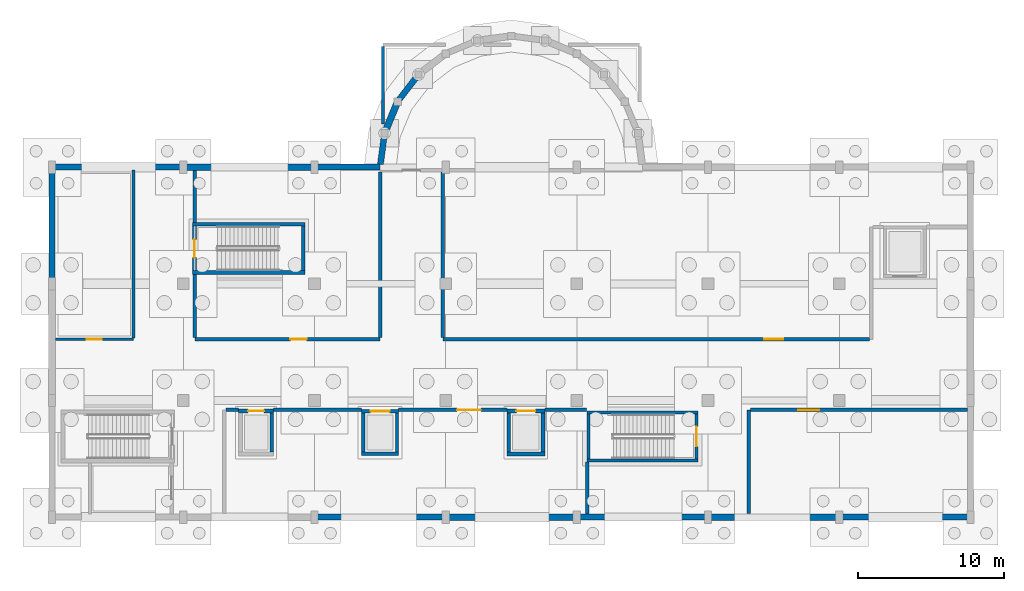
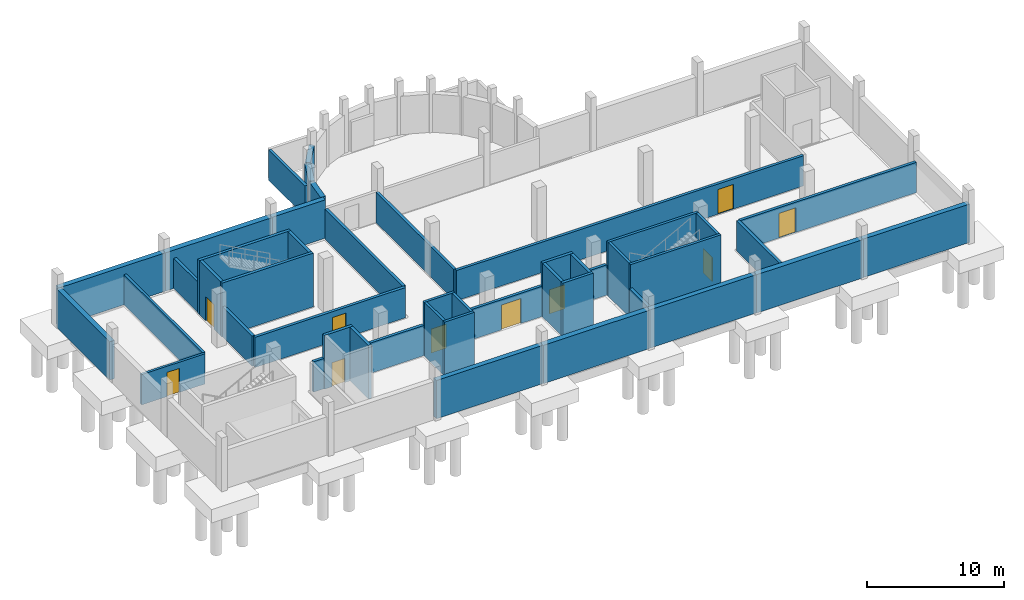
# One storey, part 4 of 10: 46 walls, 10 doors, 10 openings.
"""IFC4 building model written with IfcOpenShell, lengths in metres."""

from ifc_helpers import new_model, si_unit, direction, frame, frame_2d, origin, place, context, subcontext, project, spatial, rectangle, extrude, material, layer, layer_set, type_object, element, fill, save


model = new_model("IFC4")

# Units and contexts
model_context = context("Model", 3, precision=1e-05, world=origin(), true_north=direction((0.0, 1.0)))
body_context = subcontext(model_context, "Body", "Model", "MODEL_VIEW")
ifc_project = project(units=[si_unit("LENGTHUNIT", "METRE"), si_unit("AREAUNIT", "SQUARE_METRE"), si_unit("VOLUMEUNIT", "CUBIC_METRE"), si_unit("PLANEANGLEUNIT", "RADIAN"), si_unit("MASSUNIT", "GRAM", prefix="KILO")], contexts=[model_context])

# Site, building, storey
site_placement = place(None, origin())
site = spatial("IfcSite", under=ifc_project, at=site_placement, CompositionType="ELEMENT")
building_placement = place(site_placement, origin())
building = spatial("IfcBuilding", under=site, at=building_placement, Name="Serraforn Aerial Cableway Station", CompositionType="ELEMENT")
storey_placement = place(building_placement, frame((0.0, 0.0, -4.800048828125)))
storey = spatial("IfcBuildingStorey", under=building, at=storey_placement, Name="B1", CompositionType="ELEMENT", Elevation=-4.800048828125)

# Wall, opening, door
ifc_material_1 = material(Name="Concrete C35/45", Category="concrete")
ifc_layer_1 = layer(ifc_material_1, 0.219970703125)
ifc_layer_set_1 = layer_set([ifc_layer_1], Name="Concrete C35/45")
wall_type_1 = type_object("IfcWallType", Name="WL-COR-220", PredefinedType="SHEAR", material=ifc_layer_set_1)
wall_1_placement = place(storey_placement, frame((71.81005859375, 25.06005859375, 0.0), z_axis=(0.0, 0.0, 1.0), x_axis=(0.0, -1.0, 0.0)))
wall_1 = element("IfcWall", 1, at=wall_1_placement, inside=storey, type_object=wall_type_1, Name="Stair Core Shear Wall WCOR-ST-05-B1-NEAR", PredefinedType="SHEAR", context=body_context, shape_type="SweptSolid", body=[
    extrude(rectangle(XDim=3.06005859375, YDim=0.219970703125, at=frame_2d((1.530029296875, 0.0))), origin(), (0.0, 0.0, 1.0), 4.800048828125),
])
opening_1_placement = place(wall_1_placement, frame((0.85498046875, 0.0, 0.0)))
opening_1 = element("IfcOpeningElement", 2, at=opening_1_placement, cuts=wall_1, Name="Opening D-S22", PredefinedType="OPENING", context=body_context, shape_type="SweptSolid", body=[
    extrude(rectangle(XDim=1.35009765625, YDim=2.14990234375, at=frame_2d((0.675048828125, 1.074951171875))), frame((0.0, 0.119873046875, 0.0), z_axis=(0.0, -1.0, 0.0), x_axis=(1.0, 0.0, 0.0)), (0.0, 0.0, 1.0), 0.239990234375),
])
ifc_material_2 = material(Name="Self-closing steel stair fire door", Category="steel")
door_type_1 = type_object("IfcDoorType", Name="DR-STAIR-135", OperationType="NOTDEFINED", PredefinedType="DOOR", material=ifc_material_2)
door_1_placement = place(opening_1_placement, origin())
door_1 = element("IfcDoor", 3, at=door_1_placement, inside=storey, type_object=door_type_1, Name="Protected Stair Door D-S22", OperationType="SINGLE_SWING_RIGHT", OverallHeight=2.14990234375, OverallWidth=1.35009765625, PredefinedType="DOOR", context=body_context, shape_type="SweptSolid", body=[
    extrude(rectangle(XDim=1.35009765625, YDim=2.14990234375, at=frame_2d((0.675048828125, 1.074951171875))), frame((0.0, 0.02490234375, 0.0), z_axis=(0.0, -1.0, 0.0), x_axis=(1.0, 0.0, 0.0)), (0.0, 0.0, 1.0), 0.050048828125),
])
fill(opening_1, door_1)

# Walls
wall_2_placement = place(storey_placement, frame((64.389892578125, 25.06005859375, 0.0), z_axis=(0.0, 0.0, 1.0), x_axis=(0.0, -1.0, 0.0)))
element("IfcWall", 4, at=wall_2_placement, inside=storey, type_object=wall_type_1, Name="Stair Core Shear Wall WCOR-ST-05-B1-FAR", PredefinedType="SHEAR", context=body_context, shape_type="SweptSolid", body=[
    extrude(rectangle(XDim=3.06005859375, YDim=0.219970703125, at=frame_2d((1.530029296875, 0.0))), origin(), (0.0, 0.0, 1.0), 4.800048828125),
])
for number, where, z_axis, x_axis, name in (
    (5, (71.919921875, 25.169921875, 0.0), (0.0, 0.0, 1.0), (-1.0, 0.0, 0.0), "Stair Core Shear Wall WCOR-ST-05-B1-L"),
    (6, (71.919921875, 21.889892578125, 0.0), (0.0, 0.0, 1.0), (-1.0, 0.0, 0.0), "Stair Core Shear Wall WCOR-ST-05-B1-R"),
):
    element("IfcWall", number, at=place(storey_placement, frame(where, z_axis=z_axis, x_axis=x_axis)), inside=storey, type_object=wall_type_1, Name=name, PredefinedType="SHEAR", context=body_context, shape_type="SweptSolid", body=[
        extrude(rectangle(XDim=7.639892578125, YDim=0.219970703125, at=frame_2d((3.81982421875, 0.0))), origin(), (0.0, 0.0, 1.0), 4.800048828125),
    ])
wall_3_placement = place(storey_placement, frame((48.830078125, 22.340087890625, 0.0), z_axis=(0.0, 0.0, 1.0), x_axis=(1.0, 0.0, 0.0)))
element("IfcWall", 7, at=wall_3_placement, inside=storey, type_object=wall_type_1, Name="Lift Shaft Shear Wall WLFT-LF-03-B1-S", PredefinedType="SHEAR", context=body_context, shape_type="SweptSolid", body=[
    extrude(rectangle(XDim=2.5400390625, YDim=0.219970703125, at=frame_2d((1.27001953125, 0.0))), origin(), (0.0, 0.0, 1.0), 4.800048828125),
])

# Wall, opening, door
wall_4_placement = place(storey_placement, frame((48.830078125, 25.260009765625, 0.0), z_axis=(0.0, 0.0, 1.0), x_axis=(1.0, 0.0, 0.0)))
wall_4 = element("IfcWall", 8, at=wall_4_placement, inside=storey, type_object=wall_type_1, Name="Lift Shaft Shear Wall WLFT-LF-03-B1-N", PredefinedType="SHEAR", context=body_context, shape_type="SweptSolid", body=[
    extrude(rectangle(XDim=2.5400390625, YDim=0.219970703125, at=frame_2d((1.27001953125, 0.0))), origin(), (0.0, 0.0, 1.0), 4.800048828125),
])
opening_2_placement = place(wall_4_placement, frame((0.6201171875, 0.0, 0.0)))
opening_2 = element("IfcOpeningElement", 9, at=opening_2_placement, cuts=wall_4, Name="Opening LD-10", PredefinedType="OPENING", context=body_context, shape_type="SweptSolid", body=[
    extrude(rectangle(XDim=1.300048828125, YDim=2.14990234375, at=frame_2d((0.64990234375, 1.074951171875))), frame((0.0, 0.119873046875, 0.0), z_axis=(0.0, -1.0, 0.0), x_axis=(1.0, 0.0, 0.0)), (0.0, 0.0, 1.0), 0.239990234375),
])
ifc_material_3 = material(Name="Brushed stainless-steel sliding lift landing door", Category="steel")
door_type_2 = type_object("IfcDoorType", Name="DR-LIFT-130", OperationType="SLIDING_TO_RIGHT", PredefinedType="DOOR", material=ifc_material_3)
door_2_placement = place(opening_2_placement, origin())
door_2 = element("IfcDoor", 10, at=door_2_placement, inside=storey, type_object=door_type_2, Name="Sliding Lift Landing Door LD-10 (LF-03 B1)", OperationType="SLIDING_TO_RIGHT", OverallHeight=2.14990234375, OverallWidth=1.300048828125, PredefinedType="DOOR", context=body_context, shape_type="SweptSolid", body=[
    extrude(rectangle(XDim=1.300048828125, YDim=2.14990234375, at=frame_2d((0.64990234375, 1.074951171875))), frame((0.0, 0.02490234375, 0.0), z_axis=(0.0, -1.0, 0.0), x_axis=(1.0, 0.0, 0.0)), (0.0, 0.0, 1.0), 0.050048828125),
])
fill(opening_2, door_2)

# Walls
for number, where, z_axis, x_axis, name in (
    (11, (48.93994140625, 22.449951171875, 0.0), (0.0, 0.0, 1.0), (0.0, 1.0, 0.0), "Lift Shaft Shear Wall WLFT-LF-03-B1-W"),
    (12, (51.260009765625, 22.449951171875, 0.0), (0.0, 0.0, 1.0), (0.0, 1.0, 0.0), "Lift Shaft Shear Wall WLFT-LF-03-B1-E"),
):
    element("IfcWall", number, at=place(storey_placement, frame(where, z_axis=z_axis, x_axis=x_axis)), inside=storey, type_object=wall_type_1, Name=name, PredefinedType="SHEAR", context=body_context, shape_type="SweptSolid", body=[
        extrude(rectangle(XDim=2.699951171875, YDim=0.219970703125, at=frame_2d((1.35009765625, 0.0))), origin(), (0.0, 0.0, 1.0), 4.800048828125),
    ])

# Wall, opening, door
ifc_layer_2 = layer(ifc_material_1, 0.25)
ifc_layer_set_2 = layer_set([ifc_layer_2], Name="Concrete C35/45")
wall_type_2 = type_object("IfcWallType", Name="WL-COR-250", PredefinedType="SHEAR", material=ifc_layer_set_2)
wall_5_placement = place(storey_placement, frame((37.375, 34.89990234375, 0.0), z_axis=(0.0, 0.0, 1.0), x_axis=(0.0, 1.0, 0.0)))
wall_5 = element("IfcWall", 13, at=wall_5_placement, inside=storey, type_object=wall_type_2, Name="Stair Core Shear Wall WCOR-ST-04-B1-NEAR", PredefinedType="SHEAR", context=body_context, shape_type="SweptSolid", body=[
    extrude(rectangle(XDim=3.06005859375, YDim=0.25, at=frame_2d((1.530029296875, 0.0))), origin(), (0.0, 0.0, 1.0), 4.800048828125),
])
opening_3_placement = place(wall_5_placement, frame((0.905029296875, 0.0, 0.0)))
opening_3 = element("IfcOpeningElement", 14, at=opening_3_placement, cuts=wall_5, Name="Opening D-S17", PredefinedType="OPENING", context=body_context, shape_type="SweptSolid", body=[
    extrude(rectangle(XDim=1.25, YDim=2.14990234375, at=frame_2d((0.625, 1.074951171875))), frame((0.0, 0.135009765625, 0.0), z_axis=(0.0, -1.0, 0.0), x_axis=(1.0, 0.0, 0.0)), (0.0, 0.0, 1.0), 0.27001953125),
])
door_type_3 = type_object("IfcDoorType", Name="DR-STAIR-125", OperationType="NOTDEFINED", PredefinedType="DOOR", material=ifc_material_2)
door_3_placement = place(opening_3_placement, origin())
door_3 = element("IfcDoor", 15, at=door_3_placement, inside=storey, type_object=door_type_3, Name="Protected Stair Door D-S17", OperationType="SINGLE_SWING_LEFT", OverallHeight=2.14990234375, OverallWidth=1.25, PredefinedType="DOOR", context=body_context, shape_type="SweptSolid", body=[
    extrude(rectangle(XDim=1.25, YDim=2.14990234375, at=frame_2d((0.625, 1.074951171875))), frame((0.0, 0.02490234375, 0.0), z_axis=(0.0, -1.0, 0.0), x_axis=(1.0, 0.0, 0.0)), (0.0, 0.0, 1.0), 0.050048828125),
])
fill(opening_3, door_3)

# Walls
wall_6_placement = place(storey_placement, frame((44.824951171875, 34.89990234375, 0.0), z_axis=(0.0, 0.0, 1.0), x_axis=(0.0, 1.0, 0.0)))
element("IfcWall", 16, at=wall_6_placement, inside=storey, type_object=wall_type_2, Name="Stair Core Shear Wall WCOR-ST-04-B1-FAR", PredefinedType="SHEAR", context=body_context, shape_type="SweptSolid", body=[
    extrude(rectangle(XDim=3.06005859375, YDim=0.25, at=frame_2d((1.530029296875, 0.0))), origin(), (0.0, 0.0, 1.0), 4.800048828125),
])
for number, where, z_axis, x_axis, name in (
    (17, (37.25, 34.77490234375, 0.0), (0.0, 0.0, 1.0), (1.0, 0.0, 0.0), "Stair Core Shear Wall WCOR-ST-04-B1-L"),
    (18, (37.25, 38.0849609375, 0.0), (0.0, 0.0, 1.0), (1.0, 0.0, 0.0), "Stair Core Shear Wall WCOR-ST-04-B1-R"),
):
    element("IfcWall", number, at=place(storey_placement, frame(where, z_axis=z_axis, x_axis=x_axis)), inside=storey, type_object=wall_type_2, Name=name, PredefinedType="SHEAR", context=body_context, shape_type="SweptSolid", body=[
        extrude(rectangle(XDim=7.699951171875, YDim=0.25, at=frame_2d((3.85009765625, 0.0))), origin(), (0.0, 0.0, 1.0), 4.800048828125),
    ])

# Wall, opening, door
wall_7_placement = place(storey_placement, frame((40.39990234375, 25.27490234375, 0.0), z_axis=(0.0, 0.0, 1.0), x_axis=(1.0, 0.0, 0.0)))
wall_7 = element("IfcWall", 19, at=wall_7_placement, inside=storey, type_object=wall_type_2, Name="Lift Shaft Shear Wall WLFT-LF-02-B1-N", PredefinedType="SHEAR", context=body_context, shape_type="SweptSolid", body=[
    extrude(rectangle(XDim=2.400146484375, YDim=0.25, at=frame_2d((1.2001953125, 0.0))), origin(), (0.0, 0.0, 1.0), 4.800048828125),
])
opening_4_placement = place(wall_7_placement, frame((0.64990234375, 0.0, 0.0)))
opening_4 = element("IfcOpeningElement", 20, at=opening_4_placement, cuts=wall_7, Name="Opening LD-05", PredefinedType="OPENING", context=body_context, shape_type="SweptSolid", body=[
    extrude(rectangle(XDim=1.10009765625, YDim=2.14990234375, at=frame_2d((0.550048828125, 1.074951171875))), frame((0.0, 0.135009765625, 0.0), z_axis=(0.0, -1.0, 0.0), x_axis=(1.0, 0.0, 0.0)), (0.0, 0.0, 1.0), 0.27001953125),
])
door_type_4 = type_object("IfcDoorType", Name="DR-LIFT-110", OperationType="SLIDING_TO_LEFT", PredefinedType="DOOR", material=ifc_material_3)
door_4_placement = place(opening_4_placement, origin())
door_4 = element("IfcDoor", 21, at=door_4_placement, inside=storey, type_object=door_type_4, Name="Sliding Lift Landing Door LD-05 (LF-02 B1)", OperationType="SLIDING_TO_LEFT", OverallHeight=2.14990234375, OverallWidth=1.10009765625, PredefinedType="DOOR", context=body_context, shape_type="SweptSolid", body=[
    extrude(rectangle(XDim=1.10009765625, YDim=2.14990234375, at=frame_2d((0.550048828125, 1.074951171875))), frame((0.0, 0.02490234375, 0.0), z_axis=(0.0, -1.0, 0.0), x_axis=(1.0, 0.0, 0.0)), (0.0, 0.0, 1.0), 0.050048828125),
])
fill(opening_4, door_4)

# Walls
wall_8_placement = place(storey_placement, frame((42.675048828125, 22.449951171875, 0.0), z_axis=(0.0, 0.0, 1.0), x_axis=(0.0, 1.0, 0.0)))
element("IfcWall", 22, at=wall_8_placement, inside=storey, type_object=wall_type_2, Name="Lift Shaft Shear Wall WLFT-LF-02-B1-E", PredefinedType="SHEAR", context=body_context, shape_type="SweptSolid", body=[
    extrude(rectangle(XDim=2.699951171875, YDim=0.25, at=frame_2d((1.35009765625, 0.0))), origin(), (0.0, 0.0, 1.0), 4.800048828125),
])
wall_9_placement = place(storey_placement, frame((58.800048828125, 22.324951171875, 0.0), z_axis=(0.0, 0.0, 1.0), x_axis=(1.0, 0.0, 0.0)))
element("IfcWall", 23, at=wall_9_placement, inside=storey, type_object=wall_type_2, Name="Lift Shaft Shear Wall WLFT-LF-04-B1-S", PredefinedType="SHEAR", context=body_context, shape_type="SweptSolid", body=[
    extrude(rectangle(XDim=2.599853515625, YDim=0.25, at=frame_2d((1.2998046875, 0.0))), origin(), (0.0, 0.0, 1.0), 4.800048828125),
])

# Wall, opening, door
wall_10_placement = place(storey_placement, frame((58.800048828125, 25.27490234375, 0.0), z_axis=(0.0, 0.0, 1.0), x_axis=(1.0, 0.0, 0.0)))
wall_10 = element("IfcWall", 24, at=wall_10_placement, inside=storey, type_object=wall_type_2, Name="Lift Shaft Shear Wall WLFT-LF-04-B1-N", PredefinedType="SHEAR", context=body_context, shape_type="SweptSolid", body=[
    extrude(rectangle(XDim=2.599853515625, YDim=0.25, at=frame_2d((1.2998046875, 0.0))), origin(), (0.0, 0.0, 1.0), 4.800048828125),
])
opening_5_placement = place(wall_10_placement, frame((0.64990234375, 0.0, 0.0)))
opening_5 = element("IfcOpeningElement", 25, at=opening_5_placement, cuts=wall_10, Name="Opening LD-14", PredefinedType="OPENING", context=body_context, shape_type="SweptSolid", body=[
    extrude(rectangle(XDim=1.300048828125, YDim=2.14990234375, at=frame_2d((0.64990234375, 1.074951171875))), frame((0.0, 0.135009765625, 0.0), z_axis=(0.0, -1.0, 0.0), x_axis=(1.0, 0.0, 0.0)), (0.0, 0.0, 1.0), 0.27001953125),
])
door_5_placement = place(opening_5_placement, origin())
door_5 = element("IfcDoor", 26, at=door_5_placement, inside=storey, type_object=door_type_2, Name="Sliding Lift Landing Door LD-14 (LF-04 B1)", OperationType="SLIDING_TO_RIGHT", OverallHeight=2.14990234375, OverallWidth=1.300048828125, PredefinedType="DOOR", context=body_context, shape_type="SweptSolid", body=[
    extrude(rectangle(XDim=1.300048828125, YDim=2.14990234375, at=frame_2d((0.64990234375, 1.074951171875))), frame((0.0, 0.02490234375, 0.0), z_axis=(0.0, -1.0, 0.0), x_axis=(1.0, 0.0, 0.0)), (0.0, 0.0, 1.0), 0.050048828125),
])
fill(opening_5, door_5)

# Walls
for number, where, z_axis, x_axis, name in (
    (27, (58.925048828125, 22.449951171875, 0.0), (0.0, 0.0, 1.0), (0.0, 1.0, 0.0), "Lift Shaft Shear Wall WLFT-LF-04-B1-W"),
    (28, (61.27490234375, 22.449951171875, 0.0), (0.0, 0.0, 1.0), (0.0, 1.0, 0.0), "Lift Shaft Shear Wall WLFT-LF-04-B1-E"),
):
    element("IfcWall", number, at=place(storey_placement, frame(where, z_axis=z_axis, x_axis=x_axis)), inside=storey, type_object=wall_type_2, Name=name, PredefinedType="SHEAR", context=body_context, shape_type="SweptSolid", body=[
        extrude(rectangle(XDim=2.699951171875, YDim=0.25, at=frame_2d((1.35009765625, 0.0))), origin(), (0.0, 0.0, 1.0), 4.800048828125),
    ])

# Wall, opening, door
ifc_material_4 = material(Name="Concrete C30/37", Category="concrete")
ifc_layer_3 = layer(ifc_material_4, 0.241943359375)
ifc_layer_set_3 = layer_set([ifc_layer_3], Name="Concrete C30/37")
wall_type_3 = type_object("IfcWallType", Name="WL-FIR-242", PredefinedType="SOLIDWALL", material=ifc_layer_set_3)
wall_11_placement = place(storey_placement, frame((50.10009765625, 30.199951171875, 0.0), z_axis=(0.0, 0.0, 1.0), x_axis=(-1.0, 0.0, 0.0)))
wall_11 = element("IfcWall", 29, at=wall_11_placement, inside=storey, type_object=wall_type_3, Name="Interior Partition WPRT-B1-01-4", PredefinedType="SOLIDWALL", context=body_context, shape_type="SweptSolid", body=[
    extrude(rectangle(XDim=12.7001953125, YDim=0.241943359375, at=frame_2d((6.35009765625, 0.0))), origin(), (0.0, 0.0, 1.0), 2.699951171875),
])
opening_6_placement = place(wall_11_placement, frame((5.0400390625, 0.0, 0.0)))
opening_6 = element("IfcOpeningElement", 30, at=opening_6_placement, cuts=wall_11, Name="Opening DI-002", PredefinedType="OPENING", context=body_context, shape_type="SweptSolid", body=[
    extrude(rectangle(XDim=1.1201171875, YDim=2.179931640625, at=frame_2d((0.56005859375, 1.08984375))), frame((0.0, 0.130859375, 0.0), z_axis=(0.0, -1.0, 0.0), x_axis=(1.0, 0.0, 0.0)), (0.0, 0.0, 1.0), 0.261962890625),
])
ifc_material_5 = material(Name="Fire-rated steel-core acoustic leaf", Category="steel")
door_type_5 = type_object("IfcDoorType", Name="DR-INT-112", OperationType="NOTDEFINED", PredefinedType="DOOR", material=ifc_material_5)
door_6_placement = place(opening_6_placement, origin())
door_6 = element("IfcDoor", 31, at=door_6_placement, inside=storey, type_object=door_type_5, Name="Room Door DI-002 (B1-01)", OperationType="SINGLE_SWING_LEFT", OverallHeight=2.179931640625, OverallWidth=1.1201171875, PredefinedType="DOOR", context=body_context, shape_type="SweptSolid", body=[
    extrude(rectangle(XDim=1.1201171875, YDim=2.179931640625, at=frame_2d((0.56005859375, 1.08984375))), frame((0.0, 0.02490234375, 0.0), z_axis=(0.0, -1.0, 0.0), x_axis=(1.0, 0.0, 0.0)), (0.0, 0.0, 1.0), 0.050048828125),
])
fill(opening_6, door_6)

# Walls
wall_12_placement = place(storey_placement, frame((37.39990234375, 38.2109375, 0.0), z_axis=(0.0, 0.0, 1.0), x_axis=(0.0, 1.0, 0.0)))
element("IfcWall", 32, at=wall_12_placement, inside=storey, type_object=wall_type_3, Name="Interior Partition WPRT-B1-01-6", PredefinedType="SOLIDWALL", context=body_context, shape_type="SweptSolid", body=[
    extrude(rectangle(XDim=3.55810546875, YDim=0.241943359375, at=frame_2d((1.779052734375, 0.0))), origin(), (0.0, 0.0, 1.0), 2.699951171875),
])
wall_13_placement = place(storey_placement, frame((75.39990234375, 18.23095703125, 0.0), z_axis=(0.0, 0.0, 1.0), x_axis=(0.0, 1.0, 0.0)))
element("IfcWall", 33, at=wall_13_placement, inside=storey, type_object=wall_type_3, Name="Interior Partition WPRT-B1-04-18", PredefinedType="SOLIDWALL", context=body_context, shape_type="SweptSolid", body=[
    extrude(rectangle(XDim=7.119140625, YDim=0.241943359375, at=frame_2d((3.5595703125, 0.0))), origin(), (0.0, 0.0, 1.0), 2.699951171875),
])
wall_14_placement = place(storey_placement, frame((42.801025390625, 25.35009765625, 0.0), z_axis=(0.0, 0.0, 1.0), x_axis=(1.0, 0.0, 0.0)))
element("IfcWall", 34, at=wall_14_placement, inside=storey, type_object=wall_type_3, Name="Interior Partition WPRT-B1-03-24", PredefinedType="SOLIDWALL", context=body_context, shape_type="SweptSolid", body=[
    extrude(rectangle(XDim=6.028076171875, YDim=0.241943359375, at=frame_2d((3.01416015625, 0.0))), origin(), (0.0, 0.0, 1.0), 2.699951171875),
])
wall_15_placement = place(storey_placement, frame((61.40087890625, 25.35009765625, 0.0), z_axis=(0.0, 0.0, 1.0), x_axis=(1.0, 0.0, 0.0)))
element("IfcWall", 35, at=wall_15_placement, inside=storey, type_object=wall_type_3, Name="Interior Partition WPRT-B1-03-26", PredefinedType="SOLIDWALL", context=body_context, shape_type="SweptSolid", body=[
    extrude(rectangle(XDim=2.859130859375, YDim=0.241943359375, at=frame_2d((1.4296875, 0.0))), origin(), (0.0, 0.0, 1.0), 2.699951171875),
])

# Wall, opening, door
ifc_material_6 = material(Name="Acoustic masonry blockwork", Category="masonry")
ifc_layer_4 = layer(ifc_material_6, 0.199951171875)
ifc_layer_set_4 = layer_set([ifc_layer_4], Name="Acoustic masonry blockwork")
wall_type_4 = type_object("IfcWallType", Name="WL-PRT-200", PredefinedType="PARTITIONING", material=ifc_layer_set_4)
wall_16_placement = place(storey_placement, frame((33.199951171875, 30.199951171875, 0.0), z_axis=(0.0, 0.0, 1.0), x_axis=(-1.0, 0.0, 0.0)))
wall_16 = element("IfcWall", 36, at=wall_16_placement, inside=storey, type_object=wall_type_4, Name="Interior Partition WPRT-B1-05-2", PredefinedType="PARTITIONING", context=body_context, shape_type="SweptSolid", body=[
    extrude(rectangle(XDim=5.368896484375, YDim=0.199951171875, at=frame_2d((2.6845703125, 0.0))), origin(), (0.0, 0.0, 1.0), 2.699951171875),
])
opening_7_placement = place(wall_16_placement, frame((2.175048828125, 0.0, 0.0)))
opening_7 = element("IfcOpeningElement", 37, at=opening_7_placement, cuts=wall_16, Name="Opening DI-001", PredefinedType="OPENING", context=body_context, shape_type="SweptSolid", body=[
    extrude(rectangle(XDim=1.050048828125, YDim=2.14990234375, at=frame_2d((0.52490234375, 1.074951171875))), frame((0.0, 0.10986328125, 0.0), z_axis=(0.0, -1.0, 0.0), x_axis=(1.0, 0.0, 0.0)), (0.0, 0.0, 1.0), 0.219970703125),
])
ifc_material_7 = material(Name="Fire-rated oak veneer leaf")
door_type_6 = type_object("IfcDoorType", Name="DR-INT-105", OperationType="NOTDEFINED", PredefinedType="DOOR", material=ifc_material_7)
door_7_placement = place(opening_7_placement, origin())
door_7 = element("IfcDoor", 38, at=door_7_placement, inside=storey, type_object=door_type_6, Name="Room Door DI-001 (B1-05)", OperationType="SINGLE_SWING_RIGHT", OverallHeight=2.14990234375, OverallWidth=1.050048828125, PredefinedType="DOOR", context=body_context, shape_type="SweptSolid", body=[
    extrude(rectangle(XDim=1.050048828125, YDim=2.14990234375, at=frame_2d((0.52490234375, 1.074951171875))), frame((0.0, 0.02490234375, 0.0), z_axis=(0.0, -1.0, 0.0), x_axis=(1.0, 0.0, 0.0)), (0.0, 0.0, 1.0), 0.050048828125),
])
fill(opening_7, door_7)

# Walls
ifc_layer_5 = layer(ifc_material_6, 0.2099609375)
ifc_layer_set_5 = layer_set([ifc_layer_5], Name="Acoustic masonry blockwork")
wall_type_5 = type_object("IfcWallType", Name="WL-PRT-210", PredefinedType="PARTITIONING", material=ifc_layer_set_5)
wall_17_placement = place(storey_placement, frame((33.199951171875, 41.7939453125, 0.0), z_axis=(0.0, 0.0, 1.0), x_axis=(0.0, -1.0, 0.0)))
element("IfcWall", 39, at=wall_17_placement, inside=storey, type_object=wall_type_5, Name="Interior Partition WPRT-B1-05-1", PredefinedType="PARTITIONING", context=body_context, shape_type="SweptSolid", body=[
    extrude(rectangle(XDim=11.492919921875, YDim=0.2099609375, at=frame_2d((5.74658203125, 0.0))), origin(), (0.0, 0.0, 1.0), 2.699951171875),
])
ifc_layer_6 = layer(ifc_material_6, 0.235107421875)
ifc_layer_set_6 = layer_set([ifc_layer_6], Name="Acoustic masonry blockwork")
wall_type_6 = type_object("IfcWallType", Name="WL-PRT-235", PredefinedType="PARTITIONING", material=ifc_layer_set_6)
wall_18_placement = place(storey_placement, frame((50.10009765625, 41.677978515625, 0.0), z_axis=(0.0, 0.0, 1.0), x_axis=(0.0, -1.0, 0.0)))
element("IfcWall", 40, at=wall_18_placement, inside=storey, type_object=wall_type_6, Name="Interior Partition WPRT-B1-01-3", PredefinedType="PARTITIONING", context=body_context, shape_type="SweptSolid", body=[
    extrude(rectangle(XDim=11.35595703125, YDim=0.235107421875, at=frame_2d((5.677978515625, 0.0))), origin(), (0.0, 0.0, 1.0), 2.699951171875),
])
wall_19_placement = place(storey_placement, frame((37.39990234375, 30.322021484375, 0.0), z_axis=(0.0, 0.0, 1.0), x_axis=(0.0, 1.0, 0.0)))
element("IfcWall", 41, at=wall_19_placement, inside=storey, type_object=wall_type_6, Name="Interior Partition WPRT-B1-01-5", PredefinedType="PARTITIONING", context=body_context, shape_type="SweptSolid", body=[
    extrude(rectangle(XDim=4.326904296875, YDim=0.235107421875, at=frame_2d((2.16357421875, 0.0))), origin(), (0.0, 0.0, 1.0), 2.699951171875),
])
wall_20_placement = place(storey_placement, frame((50.300048828125, 44.95751953125, 0.0), z_axis=(0.0, 0.0, 1.0), x_axis=(0.0, 1.0, 0.0)))
element("IfcWall", 42, at=wall_20_placement, inside=storey, type_object=wall_type_6, Name="Interior Partition WPRT-B1-08-7", PredefinedType="PARTITIONING", context=body_context, shape_type="SweptSolid", body=[
    extrude(rectangle(XDim=5.320556640625, YDim=0.235107421875, at=frame_2d((2.66015625, 0.0))), origin(), (0.0, 0.0, 1.0), 2.699951171875),
])
wall_21_placement = place(storey_placement, frame((54.39990234375, 30.318603515625, 0.0), z_axis=(0.0, 0.0, 1.0), x_axis=(0.0, 1.0, 0.0)))
element("IfcWall", 43, at=wall_21_placement, inside=storey, type_object=wall_type_6, Name="Interior Partition WPRT-B1-02-13", PredefinedType="PARTITIONING", context=body_context, shape_type="SweptSolid", body=[
    extrude(rectangle(XDim=11.359375, YDim=0.235107421875, at=frame_2d((5.6796875, 0.0))), origin(), (0.0, 0.0, 1.0), 2.699951171875),
])

# Wall, opening, door
wall_22_placement = place(storey_placement, frame((83.677978515625, 30.199951171875, 0.0), z_axis=(0.0, 0.0, 1.0), x_axis=(-1.0, 0.0, 0.0)))
wall_22 = element("IfcWall", 44, at=wall_22_placement, inside=storey, type_object=wall_type_6, Name="Interior Partition WPRT-B1-02-17", PredefinedType="PARTITIONING", context=body_context, shape_type="SweptSolid", body=[
    extrude(rectangle(XDim=29.278076171875, YDim=0.235107421875, at=frame_2d((14.63916015625, 0.0))), origin(), (0.0, 0.0, 1.0), 2.699951171875),
])
opening_8_placement = place(wall_22_placement, frame((5.91796875, 0.0, 0.0)))
opening_8 = element("IfcOpeningElement", 45, at=opening_8_placement, cuts=wall_22, Name="Opening DI-004", PredefinedType="OPENING", context=body_context, shape_type="SweptSolid", body=[
    extrude(rectangle(XDim=1.320068359375, YDim=2.199951171875, at=frame_2d((0.66015625, 1.10009765625))), frame((0.0, 0.12744140625, 0.0), z_axis=(0.0, -1.0, 0.0), x_axis=(1.0, 0.0, 0.0)), (0.0, 0.0, 1.0), 0.255126953125),
])
ifc_material_8 = material(Name="Double-leaf fire-rated hall door")
door_type_7 = type_object("IfcDoorType", Name="DR-INT-132", OperationType="NOTDEFINED", PredefinedType="DOOR", material=ifc_material_8)
door_8_placement = place(opening_8_placement, origin())
door_8 = element("IfcDoor", 46, at=door_8_placement, inside=storey, type_object=door_type_7, Name="Room Door DI-004 (B1-02)", OperationType="SINGLE_SWING_LEFT", OverallHeight=2.199951171875, OverallWidth=1.320068359375, PredefinedType="DOOR", context=body_context, shape_type="SweptSolid", body=[
    extrude(rectangle(XDim=1.320068359375, YDim=2.199951171875, at=frame_2d((0.66015625, 1.10009765625))), frame((0.0, 0.02490234375, 0.0), z_axis=(0.0, -1.0, 0.0), x_axis=(1.0, 0.0, 0.0)), (0.0, 0.0, 1.0), 0.050048828125),
])
fill(opening_8, door_8)

wall_23_placement = place(storey_placement, frame((75.52197265625, 25.35009765625, 0.0), z_axis=(0.0, 0.0, 1.0), x_axis=(1.0, 0.0, 0.0)))
wall_23 = element("IfcWall", 47, at=wall_23_placement, inside=storey, type_object=wall_type_6, Name="Interior Partition WPRT-B1-04-19", PredefinedType="PARTITIONING", context=body_context, shape_type="SweptSolid", body=[
    extrude(rectangle(XDim=14.8720703125, YDim=0.235107421875, at=frame_2d((7.43603515625, 0.0))), origin(), (0.0, 0.0, 1.0), 2.699951171875),
])
opening_9_placement = place(wall_23_placement, frame((3.26806640625, 0.0, 0.0)))
opening_9 = element("IfcOpeningElement", 48, at=opening_9_placement, cuts=wall_23, Name="Opening DI-005", PredefinedType="OPENING", context=body_context, shape_type="SweptSolid", body=[
    extrude(rectangle(XDim=1.419921875, YDim=2.199951171875, at=frame_2d((0.7099609375, 1.10009765625))), frame((0.0, 0.12744140625, 0.0), z_axis=(0.0, -1.0, 0.0), x_axis=(1.0, 0.0, 0.0)), (0.0, 0.0, 1.0), 0.255126953125),
])
door_type_8 = type_object("IfcDoorType", Name="DR-INT-142", OperationType="NOTDEFINED", PredefinedType="DOOR", material=ifc_material_8)
door_9_placement = place(opening_9_placement, origin())
door_9 = element("IfcDoor", 49, at=door_9_placement, inside=storey, type_object=door_type_8, Name="Room Door DI-005 (B1-04)", OperationType="SINGLE_SWING_RIGHT", OverallHeight=2.199951171875, OverallWidth=1.419921875, PredefinedType="DOOR", context=body_context, shape_type="SweptSolid", body=[
    extrude(rectangle(XDim=1.419921875, YDim=2.199951171875, at=frame_2d((0.7099609375, 1.10009765625))), frame((0.0, 0.02490234375, 0.0), z_axis=(0.0, -1.0, 0.0), x_axis=(1.0, 0.0, 0.0)), (0.0, 0.0, 1.0), 0.050048828125),
])
fill(opening_9, door_9)

# Wall
wall_24_placement = place(storey_placement, frame((39.52197265625, 25.35009765625, 0.0), z_axis=(0.0, 0.0, 1.0), x_axis=(1.0, 0.0, 0.0)))
element("IfcWall", 50, at=wall_24_placement, inside=storey, type_object=wall_type_6, Name="Interior Partition WPRT-B1-03-23", PredefinedType="PARTITIONING", context=body_context, shape_type="SweptSolid", body=[
    extrude(rectangle(XDim=0.876953125, YDim=0.235107421875, at=frame_2d((0.4384765625, 0.0))), origin(), (0.0, 0.0, 1.0), 2.699951171875),
])

# Wall, opening, door
wall_25_placement = place(storey_placement, frame((51.37109375, 25.35009765625, 0.0), z_axis=(0.0, 0.0, 1.0), x_axis=(1.0, 0.0, 0.0)))
wall_25 = element("IfcWall", 51, at=wall_25_placement, inside=storey, type_object=wall_type_6, Name="Interior Partition WPRT-B1-03-25", PredefinedType="PARTITIONING", context=body_context, shape_type="SweptSolid", body=[
    extrude(rectangle(XDim=7.427978515625, YDim=0.235107421875, at=frame_2d((3.7138671875, 0.0))), origin(), (0.0, 0.0, 1.0), 2.699951171875),
])
opening_10_placement = place(wall_25_placement, frame((4.009033203125, 0.0, 0.0)))
opening_10 = element("IfcOpeningElement", 52, at=opening_10_placement, cuts=wall_25, Name="Opening DI-007", PredefinedType="OPENING", context=body_context, shape_type="SweptSolid", body=[
    extrude(rectangle(XDim=1.639892578125, YDim=2.219970703125, at=frame_2d((0.81982421875, 1.10986328125))), frame((0.0, 0.12744140625, 0.0), z_axis=(0.0, -1.0, 0.0), x_axis=(1.0, 0.0, 0.0)), (0.0, 0.0, 1.0), 0.255126953125),
])
ifc_material_9 = material(Name="Double-leaf glazed concourse door")
door_type_9 = type_object("IfcDoorType", Name="DR-INT-164", OperationType="NOTDEFINED", PredefinedType="DOOR", material=ifc_material_9)
door_10_placement = place(opening_10_placement, origin())
door_10 = element("IfcDoor", 53, at=door_10_placement, inside=storey, type_object=door_type_9, Name="Room Door DI-007 (B1-03)", OperationType="SINGLE_SWING_RIGHT", OverallHeight=2.219970703125, OverallWidth=1.639892578125, PredefinedType="DOOR", context=body_context, shape_type="SweptSolid", body=[
    extrude(rectangle(XDim=1.639892578125, YDim=2.219970703125, at=frame_2d((0.81982421875, 1.10986328125))), frame((0.0, 0.02490234375, 0.0), z_axis=(0.0, -1.0, 0.0), x_axis=(1.0, 0.0, 0.0)), (0.0, 0.0, 1.0), 0.050048828125),
])
fill(opening_10, door_10)

# Walls
wall_26_placement = place(storey_placement, frame((64.300048828125, 21.779052734375, 0.0), z_axis=(0.0, 0.0, 1.0), x_axis=(0.0, -1.0, 0.0)))
element("IfcWall", 54, at=wall_26_placement, inside=storey, type_object=wall_type_6, Name="Interior Partition WPRT-B1-03-27", PredefinedType="PARTITIONING", context=body_context, shape_type="SweptSolid", body=[
    extrude(rectangle(XDim=3.572998046875, YDim=0.235107421875, at=frame_2d((1.78662109375, 0.0))), origin(), (0.0, 0.0, 1.0), 2.699951171875),
])
ifc_layer_7 = layer(ifc_material_1, 0.409912109375)
ifc_layer_set_7 = layer_set([ifc_layer_7], Name="Concrete C35/45")
wall_type_7 = type_object("IfcWallType", Name="WL-RET-410", PredefinedType="USERDEFINED", material=ifc_layer_set_7)
for number, where, z_axis, x_axis, name in (
    (55, (36.60009765625, 42.0, 0.0), (0.0, 0.0, 1.0), (-1.0, 0.0, 0.0), "Exterior Wall WRET-CV-B1-N1"),
    (56, (45.60009765625, 18.0, 0.0), (0.0, 0.0, 1.0), (1.0, 0.0, 0.0), "Exterior Wall WRET-CV-B1-S3"),
):
    element("IfcWall", number, at=place(storey_placement, frame(where, z_axis=z_axis, x_axis=x_axis)), inside=storey, type_object=wall_type_7, Name=name, ObjectType="RETAININGWALL", PredefinedType="USERDEFINED", context=body_context, shape_type="SweptSolid", body=[
        extrude(rectangle(XDim=9.0, YDim=0.409912109375, at=frame_2d((4.5, 0.0))), origin(), (0.0, 0.0, 1.0), 3.420166015625),
    ])
wall_27_placement = place(storey_placement, frame((50.10009765625, 42.0, 0.0), z_axis=(0.0, 0.0, 1.0), x_axis=(-1.0, 0.0, 0.0)))
element("IfcWall", 57, at=wall_27_placement, inside=storey, type_object=wall_type_7, Name="Exterior Wall WRET-CV-B1-N3", ObjectType="RETAININGWALL", PredefinedType="USERDEFINED", context=body_context, shape_type="SweptSolid", body=[
    extrude(rectangle(XDim=4.5, YDim=0.409912109375, at=frame_2d((2.25, 0.0))), origin(), (0.0, 0.0, 1.0), 3.420166015625),
])
for number, where, z_axis, x_axis, name in (
    (58, (63.60009765625, 18.0, 0.0), (0.0, 0.0, 1.0), (1.0, 0.0, 0.0), "Exterior Wall WRET-CV-B1-S5"),
    (59, (81.60009765625, 18.0, 0.0), (0.0, 0.0, 1.0), (1.0, 0.0, 0.0), "Exterior Wall WRET-CV-B1-S7"),
):
    element("IfcWall", number, at=place(storey_placement, frame(where, z_axis=z_axis, x_axis=x_axis)), inside=storey, type_object=wall_type_7, Name=name, ObjectType="RETAININGWALL", PredefinedType="USERDEFINED", context=body_context, shape_type="SweptSolid", body=[
        extrude(rectangle(XDim=9.0, YDim=0.409912109375, at=frame_2d((4.5, 0.0))), origin(), (0.0, 0.0, 1.0), 3.420166015625),
    ])
wall_28_placement = place(storey_placement, frame((27.60009765625, 41.7939453125, 0.0), z_axis=(0.0, 0.0, 1.0), x_axis=(0.0, -1.0, 0.0)))
element("IfcWall", 60, at=wall_28_placement, inside=storey, type_object=wall_type_7, Name="Exterior Wall WRET-CV-B1-W3", ObjectType="RETAININGWALL", PredefinedType="USERDEFINED", context=body_context, shape_type="SweptSolid", body=[
    extrude(rectangle(XDim=7.7939453125, YDim=0.409912109375, at=frame_2d((3.89697265625, 0.0))), origin(), (0.0, 0.0, 1.0), 3.420166015625),
])
wall_29_placement = place(storey_placement, frame((50.40673828125, 44.329345703125, 0.0), z_axis=(0.0, 0.0, 1.0), x_axis=(-0.130531051673, -0.991444221603, 0.0)))
element("IfcWall", 61, at=wall_29_placement, inside=storey, type_object=wall_type_7, Name="Exterior Wall WRET-AP-B1-R1", ObjectType="RETAININGWALL", PredefinedType="USERDEFINED", context=body_context, shape_type="SweptSolid", body=[
    extrude(rectangle(XDim=2.145263671875, YDim=0.409912109375, at=frame_2d((1.07275390625, 0.0))), origin(), (0.0, 0.0, 1.0), 3.420166015625),
])
wall_30_placement = place(storey_placement, frame((52.736083984375, 48.364013671875, 0.0), z_axis=(0.0, 0.0, 1.0), x_axis=(-0.60876893005, -0.793347584484, 0.0)))
element("IfcWall", 62, at=wall_30_placement, inside=storey, type_object=wall_type_7, Name="Exterior Wall WRET-AP-B1-R3", ObjectType="RETAININGWALL", PredefinedType="USERDEFINED", context=body_context, shape_type="SweptSolid", body=[
    extrude(rectangle(XDim=2.29345703125, YDim=0.409912109375, at=frame_2d((1.146728515625, 0.0))), origin(), (0.0, 0.0, 1.0), 3.420166015625),
])
ifc_layer_8 = layer(ifc_material_1, 0.4599609375)
ifc_layer_set_8 = layer_set([ifc_layer_8], Name="Concrete C35/45")
wall_type_8 = type_object("IfcWallType", Name="WL-RET-460", PredefinedType="USERDEFINED", material=ifc_layer_set_8)
for number, where, z_axis, x_axis, name in (
    (63, (45.60009765625, 42.0, 0.0), (0.0, 0.0, 1.0), (-1.0, 0.0, 0.0), "Exterior Wall WRET-CV-B1-N2"),
    (64, (54.60009765625, 18.0, 0.0), (0.0, 0.0, 1.0), (1.0, 0.0, 0.0), "Exterior Wall WRET-CV-B1-S4"),
    (65, (72.60009765625, 18.0, 0.0), (0.0, 0.0, 1.0), (1.0, 0.0, 0.0), "Exterior Wall WRET-CV-B1-S6"),
):
    element("IfcWall", number, at=place(storey_placement, frame(where, z_axis=z_axis, x_axis=x_axis)), inside=storey, type_object=wall_type_8, Name=name, ObjectType="RETAININGWALL", PredefinedType="USERDEFINED", context=body_context, shape_type="SweptSolid", body=[
        extrude(rectangle(XDim=9.0, YDim=0.4599609375, at=frame_2d((4.5, 0.0))), origin(), (0.0, 0.0, 1.0), 3.420166015625),
    ])
wall_31_placement = place(storey_placement, frame((51.305908203125, 46.5, 0.0), z_axis=(0.0, 0.0, 1.0), x_axis=(-0.382696233045, -0.923874230192, 0.0)))
element("IfcWall", 66, at=wall_31_placement, inside=storey, type_object=wall_type_8, Name="Exterior Wall WRET-AP-B1-R2", ObjectType="RETAININGWALL", PredefinedType="USERDEFINED", context=body_context, shape_type="SweptSolid", body=[
    extrude(rectangle(XDim=2.29541015625, YDim=0.4599609375, at=frame_2d((1.147705078125, 0.0))), origin(), (0.0, 0.0, 1.0), 3.420166015625),
])

save(model, "model.ifc")
